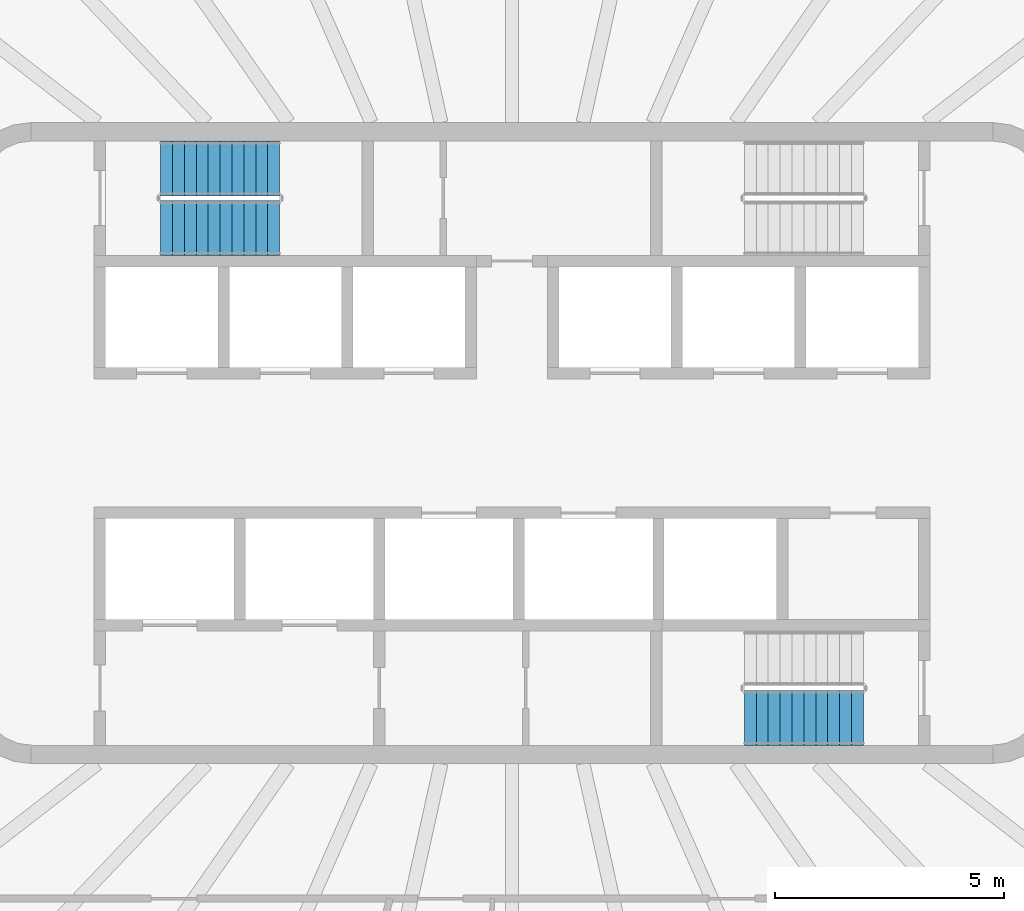
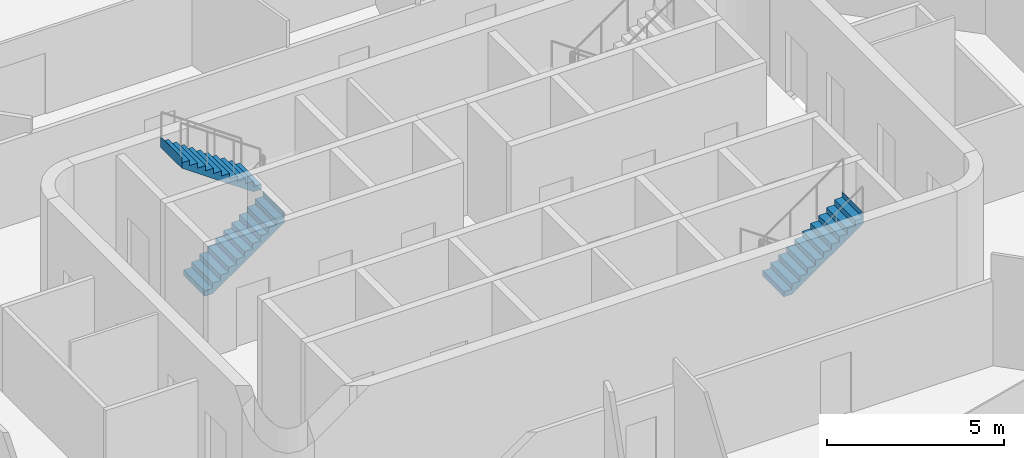
# One storey, part 14 of 20: 3 stair flights, 2 elements without a shape of their own.
"""IFC4 building model written with IfcOpenShell, lengths in metres."""

from ifc_helpers import new_model, si_unit, direction, frame, origin, place, context, subcontext, project, spatial, triangles, material, type_object, element, aggregate, save


model = new_model("IFC4")

# Units and contexts
model_context = context("Model", 3, precision=1e-05, world=origin(), true_north=direction((0.0, 1.0)))
body_context = subcontext(model_context, "Body", "Model", "MODEL_VIEW")
ifc_project = project(units=[si_unit("LENGTHUNIT", "METRE"), si_unit("AREAUNIT", "SQUARE_METRE"), si_unit("VOLUMEUNIT", "CUBIC_METRE"), si_unit("PLANEANGLEUNIT", "RADIAN"), si_unit("MASSUNIT", "GRAM", prefix="KILO")], contexts=[model_context])

# Site, building, storey
site_placement = place(None, origin())
site = spatial("IfcSite", under=ifc_project, at=site_placement, CompositionType="ELEMENT")
building_placement = place(site_placement, origin())
building = spatial("IfcBuilding", under=site, at=building_placement, Name="Sahrelin Media Tower", CompositionType="ELEMENT")
storey_placement = place(building_placement, frame((0.0, 0.0, 271.0)))
storey = spatial("IfcBuildingStorey", under=building, at=storey_placement, Name="L59", CompositionType="ELEMENT", Elevation=271.0)

# Stair, stair flights
ifc_material = material(Name="Concrete C40/50", Category="concrete")
stair_type = type_object("IfcStairType", Name="Exit stair 1200", PredefinedType="HALF_TURN_STAIR", material=ifc_material)
placement = place(storey_placement, origin())
stair_1 = element("IfcStair", 1, at=placement, inside=storey, type_object=stair_type, Name="L59 Exit stair ST1", PredefinedType="HALF_TURN_STAIR")
stair_flight_type = type_object("IfcStairFlightType", Name="Stair flight 1200", PredefinedType="STRAIGHT", material=ifc_material)
stair_flight_1_placement = place(storey_placement, frame((-7.675048828125, 4.699951171875, 0.0), z_axis=(0.0, 0.0, 1.0), x_axis=(1.0, 0.0, 0.0)))
stair_flight_1 = element("IfcStairFlight", 2, at=stair_flight_1_placement, type_object=stair_flight_type, Name="ST1 flight 1", NumberOfRisers=11, NumberOfTreads=10, PredefinedType="STRAIGHT", RiserHeight=0.181818182, TreadLength=0.26, context=body_context, shape_type="Tessellation", body=[
    triangles([(0.261474609375, 0.60009765625, 0.0), (0.261474609375, 0.300048828125, 0.0), (0.261474609375, 0.0, 0.0), (0.261474609375, -0.300048828125, 0.0), (0.261474609375, -0.60009765625, 0.0), (2.60009765625, 0.60009765625, 1.63525390625), (2.60009765625, 0.300048828125, 1.63525390625), (2.60009765625, 0.0, 1.63525390625), (2.60009765625, -0.300048828125, 1.63525390625), (2.60009765625, -0.60009765625, 1.63525390625), (2.60009765625, 0.60009765625, 2.0), (2.60009765625, 0.300048828125, 2.0), (2.60009765625, 0.0, 2.0), (2.60009765625, -0.300048828125, 2.0), (2.60009765625, -0.60009765625, 2.0), (2.597900390625, 0.60009765625, 2.0), (2.597900390625, 0.300048828125, 2.0), (2.597900390625, 0.0, 2.0), (2.597900390625, -0.300048828125, 2.0), (2.597900390625, -0.60009765625, 2.0), (2.597900390625, 0.60009765625, 1.818115234375), (2.597900390625, 0.300048828125, 1.818115234375), (2.597900390625, 0.0, 1.818115234375), (2.597900390625, -0.300048828125, 1.818115234375), (2.597900390625, -0.60009765625, 1.818115234375), (2.340087890625, 0.60009765625, 1.818115234375), (2.340087890625, 0.300048828125, 1.818115234375), (2.340087890625, 0.0, 1.818115234375), (2.340087890625, -0.300048828125, 1.818115234375), (2.340087890625, -0.60009765625, 1.818115234375), (2.340087890625, 0.60009765625, 1.636474609375), (2.340087890625, 0.300048828125, 1.636474609375), (2.340087890625, 0.0, 1.636474609375), (2.340087890625, -0.300048828125, 1.636474609375), (2.340087890625, -0.60009765625, 1.636474609375), (2.080078125, 0.60009765625, 1.636474609375), (2.080078125, 0.300048828125, 1.636474609375), (2.080078125, 0.0, 1.636474609375), (2.080078125, -0.300048828125, 1.636474609375), (2.080078125, -0.60009765625, 1.636474609375), (2.080078125, 0.60009765625, 1.45458984375), (2.080078125, 0.300048828125, 1.45458984375), (2.080078125, 0.0, 1.45458984375), (2.080078125, -0.300048828125, 1.45458984375), (2.080078125, -0.60009765625, 1.45458984375), (1.820068359375, 0.60009765625, 1.45458984375), (1.820068359375, 0.300048828125, 1.45458984375), (1.820068359375, 0.0, 1.45458984375), (1.820068359375, -0.300048828125, 1.45458984375), (1.820068359375, -0.60009765625, 1.45458984375), (1.820068359375, 0.60009765625, 1.272705078125), (1.820068359375, 0.300048828125, 1.272705078125), (1.820068359375, 0.0, 1.272705078125), (1.820068359375, -0.300048828125, 1.272705078125), (1.820068359375, -0.60009765625, 1.272705078125), (1.56005859375, 0.60009765625, 1.272705078125), (1.56005859375, 0.300048828125, 1.272705078125), (1.56005859375, 0.0, 1.272705078125), (1.56005859375, -0.300048828125, 1.272705078125), (1.56005859375, -0.60009765625, 1.272705078125), (1.56005859375, 0.60009765625, 1.0908203125), (1.56005859375, 0.300048828125, 1.0908203125), (1.56005859375, 0.0, 1.0908203125), (1.56005859375, -0.300048828125, 1.0908203125), (1.56005859375, -0.60009765625, 1.0908203125), (1.300048828125, 0.60009765625, 1.0908203125), (1.300048828125, 0.300048828125, 1.0908203125), (1.300048828125, 0.0, 1.0908203125), (1.300048828125, -0.300048828125, 1.0908203125), (1.300048828125, -0.60009765625, 1.0908203125), (1.300048828125, 0.60009765625, 0.9091796875), (1.300048828125, 0.300048828125, 0.9091796875), (1.300048828125, 0.0, 0.9091796875), (1.300048828125, -0.300048828125, 0.9091796875), (1.300048828125, -0.60009765625, 0.9091796875), (1.0400390625, 0.60009765625, 0.9091796875), (1.0400390625, 0.300048828125, 0.9091796875), (1.0400390625, 0.0, 0.9091796875), (1.0400390625, -0.300048828125, 0.9091796875), (1.0400390625, -0.60009765625, 0.9091796875), (1.0400390625, 0.60009765625, 0.727294921875), (1.0400390625, 0.300048828125, 0.727294921875), (1.0400390625, 0.0, 0.727294921875), (1.0400390625, -0.300048828125, 0.727294921875), (1.0400390625, -0.60009765625, 0.727294921875), (0.780029296875, 0.60009765625, 0.727294921875), (0.780029296875, 0.300048828125, 0.727294921875), (0.780029296875, 0.0, 0.727294921875), (0.780029296875, -0.300048828125, 0.727294921875), (0.780029296875, -0.60009765625, 0.727294921875), (0.780029296875, 0.60009765625, 0.54541015625), (0.780029296875, 0.300048828125, 0.54541015625), (0.780029296875, 0.0, 0.54541015625), (0.780029296875, -0.300048828125, 0.54541015625), (0.780029296875, -0.60009765625, 0.54541015625), (0.52001953125, 0.60009765625, 0.54541015625), (0.52001953125, 0.300048828125, 0.54541015625), (0.52001953125, 0.0, 0.54541015625), (0.52001953125, -0.300048828125, 0.54541015625), (0.52001953125, -0.60009765625, 0.54541015625), (0.52001953125, 0.60009765625, 0.363525390625), (0.52001953125, 0.300048828125, 0.363525390625), (0.52001953125, 0.0, 0.363525390625), (0.52001953125, -0.300048828125, 0.363525390625), (0.52001953125, -0.60009765625, 0.363525390625), (0.260009765625, 0.60009765625, 0.363525390625), (0.260009765625, 0.300048828125, 0.363525390625), (0.260009765625, 0.0, 0.363525390625), (0.260009765625, -0.300048828125, 0.363525390625), (0.260009765625, -0.60009765625, 0.363525390625), (0.260009765625, 0.60009765625, 0.181884765625), (0.260009765625, 0.300048828125, 0.181884765625), (0.260009765625, 0.0, 0.181884765625), (0.260009765625, -0.300048828125, 0.181884765625), (0.260009765625, -0.60009765625, 0.181884765625), (0.0, 0.60009765625, 0.181884765625), (0.0, 0.300048828125, 0.181884765625), (0.0, 0.0, 0.181884765625), (0.0, -0.300048828125, 0.181884765625), (0.0, -0.60009765625, 0.181884765625), (0.0, 0.60009765625, 0.0), (0.0, 0.300048828125, 0.0), (0.0, 0.0, 0.0), (0.0, -0.300048828125, 0.0), (0.0, -0.60009765625, 0.0)], [[1, 6, 7], [1, 7, 2], [2, 7, 8], [2, 8, 3], [3, 8, 9], [3, 9, 4], [4, 9, 10], [4, 10, 5], [6, 11, 12], [6, 12, 7], [7, 12, 13], [7, 13, 8], [8, 13, 14], [8, 14, 9], [9, 14, 15], [9, 15, 10], [11, 16, 17], [11, 17, 12], [12, 17, 18], [12, 18, 13], [13, 18, 19], [13, 19, 14], [14, 19, 20], [14, 20, 15], [16, 21, 22], [16, 22, 17], [17, 22, 23], [17, 23, 18], [18, 23, 24], [18, 24, 19], [19, 24, 25], [19, 25, 20], [21, 26, 27], [21, 27, 22], [22, 27, 28], [22, 28, 23], [23, 28, 29], [23, 29, 24], [24, 29, 30], [24, 30, 25], [26, 31, 32], [26, 32, 27], [27, 32, 33], [27, 33, 28], [28, 33, 34], [28, 34, 29], [29, 34, 35], [29, 35, 30], [31, 36, 37], [31, 37, 32], [32, 37, 38], [32, 38, 33], [33, 38, 39], [33, 39, 34], [34, 39, 40], [34, 40, 35], [36, 41, 42], [36, 42, 37], [37, 42, 43], [37, 43, 38], [38, 43, 44], [38, 44, 39], [39, 44, 45], [39, 45, 40], [41, 46, 47], [41, 47, 42], [42, 47, 48], [42, 48, 43], [43, 48, 49], [43, 49, 44], [44, 49, 50], [44, 50, 45], [46, 51, 52], [46, 52, 47], [47, 52, 53], [47, 53, 48], [48, 53, 54], [48, 54, 49], [49, 54, 55], [49, 55, 50], [51, 56, 57], [51, 57, 52], [52, 57, 58], [52, 58, 53], [53, 58, 59], [53, 59, 54], [54, 59, 60], [54, 60, 55], [56, 61, 62], [56, 62, 57], [57, 62, 63], [57, 63, 58], [58, 63, 64], [58, 64, 59], [59, 64, 65], [59, 65, 60], [61, 66, 67], [61, 67, 62], [62, 67, 68], [62, 68, 63], [63, 68, 69], [63, 69, 64], [64, 69, 70], [64, 70, 65], [66, 71, 72], [66, 72, 67], [67, 72, 73], [67, 73, 68], [68, 73, 74], [68, 74, 69], [69, 74, 75], [69, 75, 70], [71, 76, 77], [71, 77, 72], [72, 77, 78], [72, 78, 73], [73, 78, 79], [73, 79, 74], [74, 79, 80], [74, 80, 75], [76, 81, 82], [76, 82, 77], [77, 82, 83], [77, 83, 78], [78, 83, 84], [78, 84, 79], [79, 84, 85], [79, 85, 80], [81, 86, 87], [81, 87, 82], [82, 87, 88], [82, 88, 83], [83, 88, 89], [83, 89, 84], [84, 89, 90], [84, 90, 85], [86, 91, 92], [86, 92, 87], [87, 92, 93], [87, 93, 88], [88, 93, 94], [88, 94, 89], [89, 94, 95], [89, 95, 90], [91, 96, 97], [91, 97, 92], [92, 97, 98], [92, 98, 93], [93, 98, 99], [93, 99, 94], [94, 99, 100], [94, 100, 95], [96, 101, 102], [96, 102, 97], [97, 102, 103], [97, 103, 98], [98, 103, 104], [98, 104, 99], [99, 104, 105], [99, 105, 100], [101, 106, 107], [101, 107, 102], [102, 107, 108], [102, 108, 103], [103, 108, 109], [103, 109, 104], [104, 109, 110], [104, 110, 105], [106, 111, 112], [106, 112, 107], [107, 112, 113], [107, 113, 108], [108, 113, 114], [108, 114, 109], [109, 114, 115], [109, 115, 110], [111, 116, 117], [111, 117, 112], [112, 117, 118], [112, 118, 113], [113, 118, 119], [113, 119, 114], [114, 119, 120], [114, 120, 115], [116, 121, 122], [116, 122, 117], [117, 122, 123], [117, 123, 118], [118, 123, 124], [118, 124, 119], [119, 124, 125], [119, 125, 120], [121, 1, 2], [121, 2, 122], [122, 2, 3], [122, 3, 123], [123, 3, 4], [123, 4, 124], [124, 4, 5], [124, 5, 125], [115, 120, 125], [111, 121, 116], [115, 105, 110], [111, 106, 101], [105, 95, 100], [101, 96, 91], [95, 85, 90], [91, 86, 81], [85, 75, 80], [81, 76, 71], [75, 65, 70], [71, 66, 61], [65, 55, 60], [61, 56, 51], [55, 45, 50], [51, 46, 41], [45, 35, 40], [41, 36, 31], [35, 25, 30], [31, 26, 21], [25, 15, 20], [21, 16, 11], [125, 5, 115], [121, 111, 1], [25, 10, 15], [21, 11, 6], [105, 115, 5], [101, 1, 111], [35, 10, 25], [31, 21, 6], [95, 105, 5], [91, 1, 101], [45, 10, 35], [41, 31, 6], [85, 95, 5], [81, 1, 91], [55, 10, 45], [51, 41, 6], [75, 85, 5], [71, 1, 81], [65, 10, 55], [61, 51, 6], [5, 10, 75], [1, 71, 6], [75, 10, 65], [71, 61, 6]], closed=True),
])
stair_flight_2_placement = place(storey_placement, frame((-5.074951171875, 6.0, 2.0), z_axis=(0.0, 0.0, 1.0), x_axis=(-1.0, 0.0, 0.0)))
stair_flight_2 = element("IfcStairFlight", 3, at=stair_flight_2_placement, type_object=stair_flight_type, Name="ST1 flight 2", NumberOfRisers=11, NumberOfTreads=10, PredefinedType="STRAIGHT", RiserHeight=0.181818182, TreadLength=0.26, context=body_context, shape_type="Tessellation", body=[
    triangles([(0.261474609375, 0.60009765625, 0.0), (0.261474609375, 0.300048828125, 0.0), (0.261474609375, 0.0, 0.0), (0.261474609375, -0.300048828125, 0.0), (0.261474609375, -0.60009765625, 0.0), (2.60009765625, 0.60009765625, 1.63525390625), (2.60009765625, 0.300048828125, 1.63525390625), (2.60009765625, 0.0, 1.63525390625), (2.60009765625, -0.300048828125, 1.63525390625), (2.60009765625, -0.60009765625, 1.63525390625), (2.60009765625, 0.60009765625, 2.0), (2.60009765625, 0.300048828125, 2.0), (2.60009765625, 0.0, 2.0), (2.60009765625, -0.300048828125, 2.0), (2.60009765625, -0.60009765625, 2.0), (2.597900390625, 0.60009765625, 2.0), (2.597900390625, 0.300048828125, 2.0), (2.597900390625, 0.0, 2.0), (2.597900390625, -0.300048828125, 2.0), (2.597900390625, -0.60009765625, 2.0), (2.597900390625, 0.60009765625, 1.818115234375), (2.597900390625, 0.300048828125, 1.818115234375), (2.597900390625, 0.0, 1.818115234375), (2.597900390625, -0.300048828125, 1.818115234375), (2.597900390625, -0.60009765625, 1.818115234375), (2.340087890625, 0.60009765625, 1.818115234375), (2.340087890625, 0.300048828125, 1.818115234375), (2.340087890625, 0.0, 1.818115234375), (2.340087890625, -0.300048828125, 1.818115234375), (2.340087890625, -0.60009765625, 1.818115234375), (2.340087890625, 0.60009765625, 1.636474609375), (2.340087890625, 0.300048828125, 1.636474609375), (2.340087890625, 0.0, 1.636474609375), (2.340087890625, -0.300048828125, 1.636474609375), (2.340087890625, -0.60009765625, 1.636474609375), (2.080078125, 0.60009765625, 1.636474609375), (2.080078125, 0.300048828125, 1.636474609375), (2.080078125, 0.0, 1.636474609375), (2.080078125, -0.300048828125, 1.636474609375), (2.080078125, -0.60009765625, 1.636474609375), (2.080078125, 0.60009765625, 1.45458984375), (2.080078125, 0.300048828125, 1.45458984375), (2.080078125, 0.0, 1.45458984375), (2.080078125, -0.300048828125, 1.45458984375), (2.080078125, -0.60009765625, 1.45458984375), (1.820068359375, 0.60009765625, 1.45458984375), (1.820068359375, 0.300048828125, 1.45458984375), (1.820068359375, 0.0, 1.45458984375), (1.820068359375, -0.300048828125, 1.45458984375), (1.820068359375, -0.60009765625, 1.45458984375), (1.820068359375, 0.60009765625, 1.272705078125), (1.820068359375, 0.300048828125, 1.272705078125), (1.820068359375, 0.0, 1.272705078125), (1.820068359375, -0.300048828125, 1.272705078125), (1.820068359375, -0.60009765625, 1.272705078125), (1.56005859375, 0.60009765625, 1.272705078125), (1.56005859375, 0.300048828125, 1.272705078125), (1.56005859375, 0.0, 1.272705078125), (1.56005859375, -0.300048828125, 1.272705078125), (1.56005859375, -0.60009765625, 1.272705078125), (1.56005859375, 0.60009765625, 1.0908203125), (1.56005859375, 0.300048828125, 1.0908203125), (1.56005859375, 0.0, 1.0908203125), (1.56005859375, -0.300048828125, 1.0908203125), (1.56005859375, -0.60009765625, 1.0908203125), (1.300048828125, 0.60009765625, 1.0908203125), (1.300048828125, 0.300048828125, 1.0908203125), (1.300048828125, 0.0, 1.0908203125), (1.300048828125, -0.300048828125, 1.0908203125), (1.300048828125, -0.60009765625, 1.0908203125), (1.300048828125, 0.60009765625, 0.9091796875), (1.300048828125, 0.300048828125, 0.9091796875), (1.300048828125, 0.0, 0.9091796875), (1.300048828125, -0.300048828125, 0.9091796875), (1.300048828125, -0.60009765625, 0.9091796875), (1.0400390625, 0.60009765625, 0.9091796875), (1.0400390625, 0.300048828125, 0.9091796875), (1.0400390625, 0.0, 0.9091796875), (1.0400390625, -0.300048828125, 0.9091796875), (1.0400390625, -0.60009765625, 0.9091796875), (1.0400390625, 0.60009765625, 0.727294921875), (1.0400390625, 0.300048828125, 0.727294921875), (1.0400390625, 0.0, 0.727294921875), (1.0400390625, -0.300048828125, 0.727294921875), (1.0400390625, -0.60009765625, 0.727294921875), (0.780029296875, 0.60009765625, 0.727294921875), (0.780029296875, 0.300048828125, 0.727294921875), (0.780029296875, 0.0, 0.727294921875), (0.780029296875, -0.300048828125, 0.727294921875), (0.780029296875, -0.60009765625, 0.727294921875), (0.780029296875, 0.60009765625, 0.54541015625), (0.780029296875, 0.300048828125, 0.54541015625), (0.780029296875, 0.0, 0.54541015625), (0.780029296875, -0.300048828125, 0.54541015625), (0.780029296875, -0.60009765625, 0.54541015625), (0.52001953125, 0.60009765625, 0.54541015625), (0.52001953125, 0.300048828125, 0.54541015625), (0.52001953125, 0.0, 0.54541015625), (0.52001953125, -0.300048828125, 0.54541015625), (0.52001953125, -0.60009765625, 0.54541015625), (0.52001953125, 0.60009765625, 0.363525390625), (0.52001953125, 0.300048828125, 0.363525390625), (0.52001953125, 0.0, 0.363525390625), (0.52001953125, -0.300048828125, 0.363525390625), (0.52001953125, -0.60009765625, 0.363525390625), (0.260009765625, 0.60009765625, 0.363525390625), (0.260009765625, 0.300048828125, 0.363525390625), (0.260009765625, 0.0, 0.363525390625), (0.260009765625, -0.300048828125, 0.363525390625), (0.260009765625, -0.60009765625, 0.363525390625), (0.260009765625, 0.60009765625, 0.181884765625), (0.260009765625, 0.300048828125, 0.181884765625), (0.260009765625, 0.0, 0.181884765625), (0.260009765625, -0.300048828125, 0.181884765625), (0.260009765625, -0.60009765625, 0.181884765625), (0.0, 0.60009765625, 0.181884765625), (0.0, 0.300048828125, 0.181884765625), (0.0, 0.0, 0.181884765625), (0.0, -0.300048828125, 0.181884765625), (0.0, -0.60009765625, 0.181884765625), (0.0, 0.60009765625, 0.0), (0.0, 0.300048828125, 0.0), (0.0, 0.0, 0.0), (0.0, -0.300048828125, 0.0), (0.0, -0.60009765625, 0.0)], [[1, 6, 7], [1, 7, 2], [2, 7, 8], [2, 8, 3], [3, 8, 9], [3, 9, 4], [4, 9, 10], [4, 10, 5], [6, 11, 12], [6, 12, 7], [7, 12, 13], [7, 13, 8], [8, 13, 14], [8, 14, 9], [9, 14, 15], [9, 15, 10], [11, 16, 17], [11, 17, 12], [12, 17, 18], [12, 18, 13], [13, 18, 19], [13, 19, 14], [14, 19, 20], [14, 20, 15], [16, 21, 22], [16, 22, 17], [17, 22, 23], [17, 23, 18], [18, 23, 24], [18, 24, 19], [19, 24, 25], [19, 25, 20], [21, 26, 27], [21, 27, 22], [22, 27, 28], [22, 28, 23], [23, 28, 29], [23, 29, 24], [24, 29, 30], [24, 30, 25], [26, 31, 32], [26, 32, 27], [27, 32, 33], [27, 33, 28], [28, 33, 34], [28, 34, 29], [29, 34, 35], [29, 35, 30], [31, 36, 37], [31, 37, 32], [32, 37, 38], [32, 38, 33], [33, 38, 39], [33, 39, 34], [34, 39, 40], [34, 40, 35], [36, 41, 42], [36, 42, 37], [37, 42, 43], [37, 43, 38], [38, 43, 44], [38, 44, 39], [39, 44, 45], [39, 45, 40], [41, 46, 47], [41, 47, 42], [42, 47, 48], [42, 48, 43], [43, 48, 49], [43, 49, 44], [44, 49, 50], [44, 50, 45], [46, 51, 52], [46, 52, 47], [47, 52, 53], [47, 53, 48], [48, 53, 54], [48, 54, 49], [49, 54, 55], [49, 55, 50], [51, 56, 57], [51, 57, 52], [52, 57, 58], [52, 58, 53], [53, 58, 59], [53, 59, 54], [54, 59, 60], [54, 60, 55], [56, 61, 62], [56, 62, 57], [57, 62, 63], [57, 63, 58], [58, 63, 64], [58, 64, 59], [59, 64, 65], [59, 65, 60], [61, 66, 67], [61, 67, 62], [62, 67, 68], [62, 68, 63], [63, 68, 69], [63, 69, 64], [64, 69, 70], [64, 70, 65], [66, 71, 72], [66, 72, 67], [67, 72, 73], [67, 73, 68], [68, 73, 74], [68, 74, 69], [69, 74, 75], [69, 75, 70], [71, 76, 77], [71, 77, 72], [72, 77, 78], [72, 78, 73], [73, 78, 79], [73, 79, 74], [74, 79, 80], [74, 80, 75], [76, 81, 82], [76, 82, 77], [77, 82, 83], [77, 83, 78], [78, 83, 84], [78, 84, 79], [79, 84, 85], [79, 85, 80], [81, 86, 87], [81, 87, 82], [82, 87, 88], [82, 88, 83], [83, 88, 89], [83, 89, 84], [84, 89, 90], [84, 90, 85], [86, 91, 92], [86, 92, 87], [87, 92, 93], [87, 93, 88], [88, 93, 94], [88, 94, 89], [89, 94, 95], [89, 95, 90], [91, 96, 97], [91, 97, 92], [92, 97, 98], [92, 98, 93], [93, 98, 99], [93, 99, 94], [94, 99, 100], [94, 100, 95], [96, 101, 102], [96, 102, 97], [97, 102, 103], [97, 103, 98], [98, 103, 104], [98, 104, 99], [99, 104, 105], [99, 105, 100], [101, 106, 107], [101, 107, 102], [102, 107, 108], [102, 108, 103], [103, 108, 109], [103, 109, 104], [104, 109, 110], [104, 110, 105], [106, 111, 112], [106, 112, 107], [107, 112, 113], [107, 113, 108], [108, 113, 114], [108, 114, 109], [109, 114, 115], [109, 115, 110], [111, 116, 117], [111, 117, 112], [112, 117, 118], [112, 118, 113], [113, 118, 119], [113, 119, 114], [114, 119, 120], [114, 120, 115], [116, 121, 122], [116, 122, 117], [117, 122, 123], [117, 123, 118], [118, 123, 124], [118, 124, 119], [119, 124, 125], [119, 125, 120], [121, 1, 2], [121, 2, 122], [122, 2, 3], [122, 3, 123], [123, 3, 4], [123, 4, 124], [124, 4, 5], [124, 5, 125], [115, 120, 125], [111, 121, 116], [115, 105, 110], [111, 106, 101], [105, 95, 100], [101, 96, 91], [95, 85, 90], [91, 86, 81], [85, 75, 80], [81, 76, 71], [75, 65, 70], [71, 66, 61], [65, 55, 60], [61, 56, 51], [55, 45, 50], [51, 46, 41], [45, 35, 40], [41, 36, 31], [35, 25, 30], [31, 26, 21], [25, 15, 20], [21, 16, 11], [125, 5, 115], [121, 111, 1], [25, 10, 15], [21, 11, 6], [105, 115, 5], [101, 1, 111], [35, 10, 25], [31, 21, 6], [95, 105, 5], [91, 1, 101], [45, 10, 35], [41, 31, 6], [85, 95, 5], [81, 1, 91], [55, 10, 45], [51, 41, 6], [75, 85, 5], [71, 1, 81], [65, 10, 55], [61, 51, 6], [5, 10, 75], [1, 71, 6], [75, 10, 65], [71, 61, 6]], closed=True),
])
aggregate(stair_1, [stair_flight_1, stair_flight_2])

# Stair, stair flight
stair_2 = element("IfcStair", 4, at=placement, inside=storey, type_object=stair_type, Name="L59 Exit stair ST2", PredefinedType="HALF_TURN_STAIR")
stair_flight_3_placement = place(storey_placement, frame((5.074951171875, -6.0, 2.0), z_axis=(0.0, 0.0, 1.0), x_axis=(1.0, 0.0, 0.0)))
stair_flight_3 = element("IfcStairFlight", 5, at=stair_flight_3_placement, type_object=stair_flight_type, Name="ST2 flight 2", NumberOfRisers=11, NumberOfTreads=10, PredefinedType="STRAIGHT", RiserHeight=0.181818182, TreadLength=0.26, context=body_context, shape_type="Tessellation", body=[
    triangles([(0.261474609375, 0.60009765625, 0.0), (0.261474609375, 0.300048828125, 0.0), (0.261474609375, 0.0, 0.0), (0.261474609375, -0.300048828125, 0.0), (0.261474609375, -0.60009765625, 0.0), (2.60009765625, 0.60009765625, 1.63525390625), (2.60009765625, 0.300048828125, 1.63525390625), (2.60009765625, 0.0, 1.63525390625), (2.60009765625, -0.300048828125, 1.63525390625), (2.60009765625, -0.60009765625, 1.63525390625), (2.60009765625, 0.60009765625, 2.0), (2.60009765625, 0.300048828125, 2.0), (2.60009765625, 0.0, 2.0), (2.60009765625, -0.300048828125, 2.0), (2.60009765625, -0.60009765625, 2.0), (2.597900390625, 0.60009765625, 2.0), (2.597900390625, 0.300048828125, 2.0), (2.597900390625, 0.0, 2.0), (2.597900390625, -0.300048828125, 2.0), (2.597900390625, -0.60009765625, 2.0), (2.597900390625, 0.60009765625, 1.818115234375), (2.597900390625, 0.300048828125, 1.818115234375), (2.597900390625, 0.0, 1.818115234375), (2.597900390625, -0.300048828125, 1.818115234375), (2.597900390625, -0.60009765625, 1.818115234375), (2.340087890625, 0.60009765625, 1.818115234375), (2.340087890625, 0.300048828125, 1.818115234375), (2.340087890625, 0.0, 1.818115234375), (2.340087890625, -0.300048828125, 1.818115234375), (2.340087890625, -0.60009765625, 1.818115234375), (2.340087890625, 0.60009765625, 1.636474609375), (2.340087890625, 0.300048828125, 1.636474609375), (2.340087890625, 0.0, 1.636474609375), (2.340087890625, -0.300048828125, 1.636474609375), (2.340087890625, -0.60009765625, 1.636474609375), (2.080078125, 0.60009765625, 1.636474609375), (2.080078125, 0.300048828125, 1.636474609375), (2.080078125, 0.0, 1.636474609375), (2.080078125, -0.300048828125, 1.636474609375), (2.080078125, -0.60009765625, 1.636474609375), (2.080078125, 0.60009765625, 1.45458984375), (2.080078125, 0.300048828125, 1.45458984375), (2.080078125, 0.0, 1.45458984375), (2.080078125, -0.300048828125, 1.45458984375), (2.080078125, -0.60009765625, 1.45458984375), (1.820068359375, 0.60009765625, 1.45458984375), (1.820068359375, 0.300048828125, 1.45458984375), (1.820068359375, 0.0, 1.45458984375), (1.820068359375, -0.300048828125, 1.45458984375), (1.820068359375, -0.60009765625, 1.45458984375), (1.820068359375, 0.60009765625, 1.272705078125), (1.820068359375, 0.300048828125, 1.272705078125), (1.820068359375, 0.0, 1.272705078125), (1.820068359375, -0.300048828125, 1.272705078125), (1.820068359375, -0.60009765625, 1.272705078125), (1.56005859375, 0.60009765625, 1.272705078125), (1.56005859375, 0.300048828125, 1.272705078125), (1.56005859375, 0.0, 1.272705078125), (1.56005859375, -0.300048828125, 1.272705078125), (1.56005859375, -0.60009765625, 1.272705078125), (1.56005859375, 0.60009765625, 1.0908203125), (1.56005859375, 0.300048828125, 1.0908203125), (1.56005859375, 0.0, 1.0908203125), (1.56005859375, -0.300048828125, 1.0908203125), (1.56005859375, -0.60009765625, 1.0908203125), (1.300048828125, 0.60009765625, 1.0908203125), (1.300048828125, 0.300048828125, 1.0908203125), (1.300048828125, 0.0, 1.0908203125), (1.300048828125, -0.300048828125, 1.0908203125), (1.300048828125, -0.60009765625, 1.0908203125), (1.300048828125, 0.60009765625, 0.9091796875), (1.300048828125, 0.300048828125, 0.9091796875), (1.300048828125, 0.0, 0.9091796875), (1.300048828125, -0.300048828125, 0.9091796875), (1.300048828125, -0.60009765625, 0.9091796875), (1.0400390625, 0.60009765625, 0.9091796875), (1.0400390625, 0.300048828125, 0.9091796875), (1.0400390625, 0.0, 0.9091796875), (1.0400390625, -0.300048828125, 0.9091796875), (1.0400390625, -0.60009765625, 0.9091796875), (1.0400390625, 0.60009765625, 0.727294921875), (1.0400390625, 0.300048828125, 0.727294921875), (1.0400390625, 0.0, 0.727294921875), (1.0400390625, -0.300048828125, 0.727294921875), (1.0400390625, -0.60009765625, 0.727294921875), (0.780029296875, 0.60009765625, 0.727294921875), (0.780029296875, 0.300048828125, 0.727294921875), (0.780029296875, 0.0, 0.727294921875), (0.780029296875, -0.300048828125, 0.727294921875), (0.780029296875, -0.60009765625, 0.727294921875), (0.780029296875, 0.60009765625, 0.54541015625), (0.780029296875, 0.300048828125, 0.54541015625), (0.780029296875, 0.0, 0.54541015625), (0.780029296875, -0.300048828125, 0.54541015625), (0.780029296875, -0.60009765625, 0.54541015625), (0.52001953125, 0.60009765625, 0.54541015625), (0.52001953125, 0.300048828125, 0.54541015625), (0.52001953125, 0.0, 0.54541015625), (0.52001953125, -0.300048828125, 0.54541015625), (0.52001953125, -0.60009765625, 0.54541015625), (0.52001953125, 0.60009765625, 0.363525390625), (0.52001953125, 0.300048828125, 0.363525390625), (0.52001953125, 0.0, 0.363525390625), (0.52001953125, -0.300048828125, 0.363525390625), (0.52001953125, -0.60009765625, 0.363525390625), (0.260009765625, 0.60009765625, 0.363525390625), (0.260009765625, 0.300048828125, 0.363525390625), (0.260009765625, 0.0, 0.363525390625), (0.260009765625, -0.300048828125, 0.363525390625), (0.260009765625, -0.60009765625, 0.363525390625), (0.260009765625, 0.60009765625, 0.181884765625), (0.260009765625, 0.300048828125, 0.181884765625), (0.260009765625, 0.0, 0.181884765625), (0.260009765625, -0.300048828125, 0.181884765625), (0.260009765625, -0.60009765625, 0.181884765625), (0.0, 0.60009765625, 0.181884765625), (0.0, 0.300048828125, 0.181884765625), (0.0, 0.0, 0.181884765625), (0.0, -0.300048828125, 0.181884765625), (0.0, -0.60009765625, 0.181884765625), (0.0, 0.60009765625, 0.0), (0.0, 0.300048828125, 0.0), (0.0, 0.0, 0.0), (0.0, -0.300048828125, 0.0), (0.0, -0.60009765625, 0.0)], [[1, 6, 7], [1, 7, 2], [2, 7, 8], [2, 8, 3], [3, 8, 9], [3, 9, 4], [4, 9, 10], [4, 10, 5], [6, 11, 12], [6, 12, 7], [7, 12, 13], [7, 13, 8], [8, 13, 14], [8, 14, 9], [9, 14, 15], [9, 15, 10], [11, 16, 17], [11, 17, 12], [12, 17, 18], [12, 18, 13], [13, 18, 19], [13, 19, 14], [14, 19, 20], [14, 20, 15], [16, 21, 22], [16, 22, 17], [17, 22, 23], [17, 23, 18], [18, 23, 24], [18, 24, 19], [19, 24, 25], [19, 25, 20], [21, 26, 27], [21, 27, 22], [22, 27, 28], [22, 28, 23], [23, 28, 29], [23, 29, 24], [24, 29, 30], [24, 30, 25], [26, 31, 32], [26, 32, 27], [27, 32, 33], [27, 33, 28], [28, 33, 34], [28, 34, 29], [29, 34, 35], [29, 35, 30], [31, 36, 37], [31, 37, 32], [32, 37, 38], [32, 38, 33], [33, 38, 39], [33, 39, 34], [34, 39, 40], [34, 40, 35], [36, 41, 42], [36, 42, 37], [37, 42, 43], [37, 43, 38], [38, 43, 44], [38, 44, 39], [39, 44, 45], [39, 45, 40], [41, 46, 47], [41, 47, 42], [42, 47, 48], [42, 48, 43], [43, 48, 49], [43, 49, 44], [44, 49, 50], [44, 50, 45], [46, 51, 52], [46, 52, 47], [47, 52, 53], [47, 53, 48], [48, 53, 54], [48, 54, 49], [49, 54, 55], [49, 55, 50], [51, 56, 57], [51, 57, 52], [52, 57, 58], [52, 58, 53], [53, 58, 59], [53, 59, 54], [54, 59, 60], [54, 60, 55], [56, 61, 62], [56, 62, 57], [57, 62, 63], [57, 63, 58], [58, 63, 64], [58, 64, 59], [59, 64, 65], [59, 65, 60], [61, 66, 67], [61, 67, 62], [62, 67, 68], [62, 68, 63], [63, 68, 69], [63, 69, 64], [64, 69, 70], [64, 70, 65], [66, 71, 72], [66, 72, 67], [67, 72, 73], [67, 73, 68], [68, 73, 74], [68, 74, 69], [69, 74, 75], [69, 75, 70], [71, 76, 77], [71, 77, 72], [72, 77, 78], [72, 78, 73], [73, 78, 79], [73, 79, 74], [74, 79, 80], [74, 80, 75], [76, 81, 82], [76, 82, 77], [77, 82, 83], [77, 83, 78], [78, 83, 84], [78, 84, 79], [79, 84, 85], [79, 85, 80], [81, 86, 87], [81, 87, 82], [82, 87, 88], [82, 88, 83], [83, 88, 89], [83, 89, 84], [84, 89, 90], [84, 90, 85], [86, 91, 92], [86, 92, 87], [87, 92, 93], [87, 93, 88], [88, 93, 94], [88, 94, 89], [89, 94, 95], [89, 95, 90], [91, 96, 97], [91, 97, 92], [92, 97, 98], [92, 98, 93], [93, 98, 99], [93, 99, 94], [94, 99, 100], [94, 100, 95], [96, 101, 102], [96, 102, 97], [97, 102, 103], [97, 103, 98], [98, 103, 104], [98, 104, 99], [99, 104, 105], [99, 105, 100], [101, 106, 107], [101, 107, 102], [102, 107, 108], [102, 108, 103], [103, 108, 109], [103, 109, 104], [104, 109, 110], [104, 110, 105], [106, 111, 112], [106, 112, 107], [107, 112, 113], [107, 113, 108], [108, 113, 114], [108, 114, 109], [109, 114, 115], [109, 115, 110], [111, 116, 117], [111, 117, 112], [112, 117, 118], [112, 118, 113], [113, 118, 119], [113, 119, 114], [114, 119, 120], [114, 120, 115], [116, 121, 122], [116, 122, 117], [117, 122, 123], [117, 123, 118], [118, 123, 124], [118, 124, 119], [119, 124, 125], [119, 125, 120], [121, 1, 2], [121, 2, 122], [122, 2, 3], [122, 3, 123], [123, 3, 4], [123, 4, 124], [124, 4, 5], [124, 5, 125], [115, 120, 125], [111, 121, 116], [115, 105, 110], [111, 106, 101], [105, 95, 100], [101, 96, 91], [95, 85, 90], [91, 86, 81], [85, 75, 80], [81, 76, 71], [75, 65, 70], [71, 66, 61], [65, 55, 60], [61, 56, 51], [55, 45, 50], [51, 46, 41], [45, 35, 40], [41, 36, 31], [35, 25, 30], [31, 26, 21], [25, 15, 20], [21, 16, 11], [125, 5, 115], [121, 111, 1], [25, 10, 15], [21, 11, 6], [105, 115, 5], [101, 1, 111], [35, 10, 25], [31, 21, 6], [95, 105, 5], [91, 1, 101], [45, 10, 35], [41, 31, 6], [85, 95, 5], [81, 1, 91], [55, 10, 45], [51, 41, 6], [75, 85, 5], [71, 1, 81], [65, 10, 55], [61, 51, 6], [5, 10, 75], [1, 71, 6], [75, 10, 65], [71, 61, 6]], closed=True),
])
aggregate(stair_2, [stair_flight_3])

save(model, "model.ifc")
